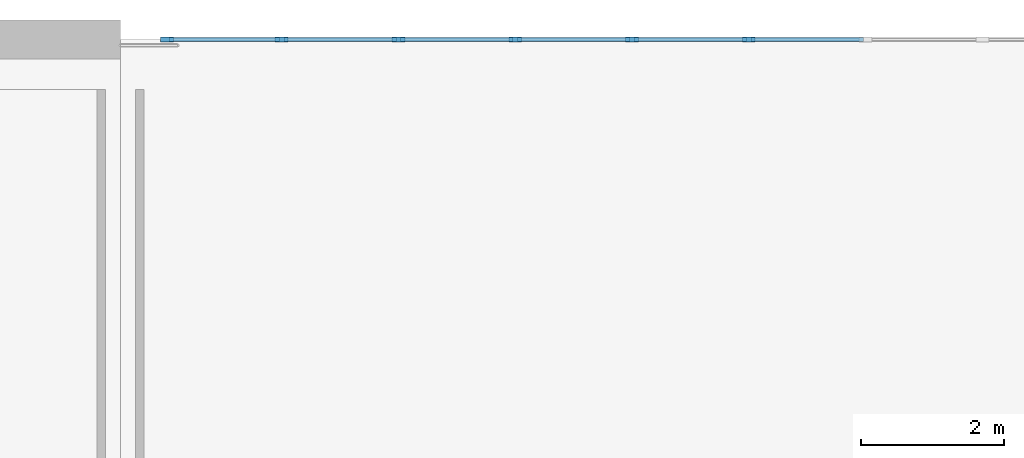
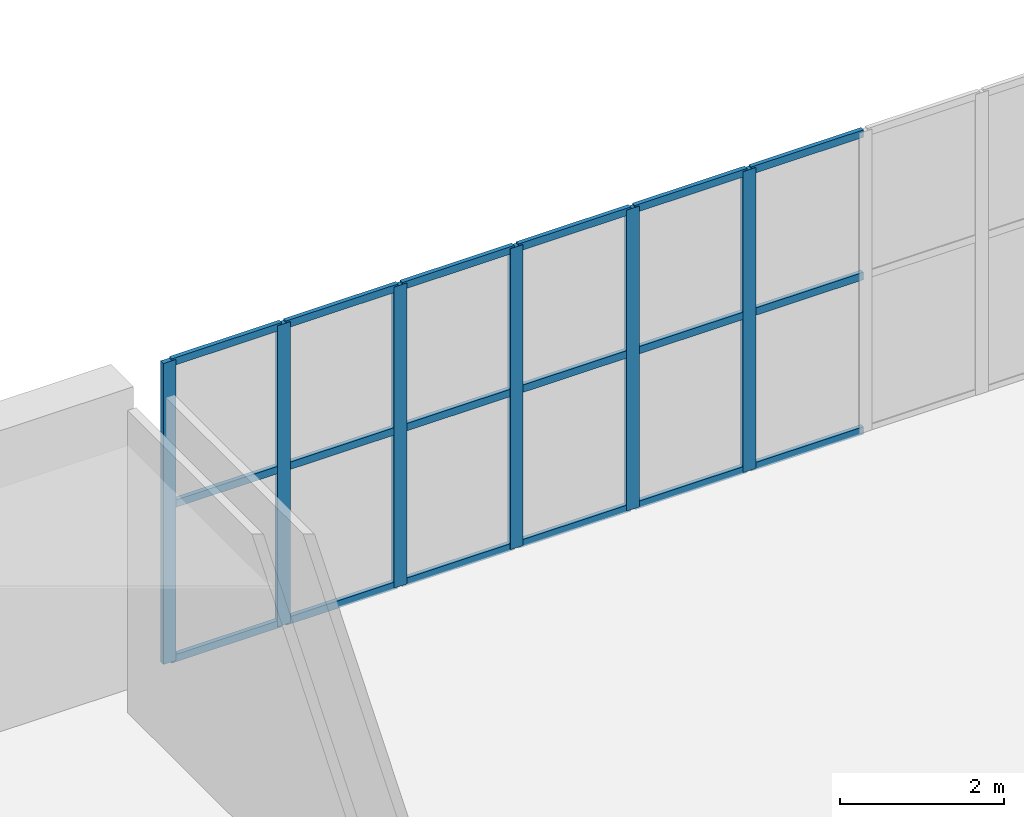
# One storey, part 52 of 129: 24 members, 1 element without a shape of its own.
"""IFC4 building model written with IfcOpenShell, lengths in metres."""

from ifc_helpers import new_model, si_unit, direction, frame, origin, origin_2d, place, context, subcontext, project, spatial, rectangle, extrude, material, material_profile, profile_set, type_object, element, aggregate, save


model = new_model("IFC4")

# Units and contexts
model_context = context("Model", 3, precision=1e-05, world=origin(), true_north=direction((0.0, 1.0)))
body_context = subcontext(model_context, "Body", "Model", "MODEL_VIEW")
ifc_project = project(units=[si_unit("LENGTHUNIT", "METRE"), si_unit("AREAUNIT", "SQUARE_METRE"), si_unit("VOLUMEUNIT", "CUBIC_METRE"), si_unit("PLANEANGLEUNIT", "RADIAN"), si_unit("MASSUNIT", "GRAM", prefix="KILO")], contexts=[model_context])

# Site, building, storey
site_placement = place(None, origin())
site = spatial("IfcSite", under=ifc_project, at=site_placement, CompositionType="ELEMENT")
building_placement = place(site_placement, origin())
building = spatial("IfcBuilding", under=site, at=building_placement, Name="Koshinbarg Plaza Stadium", CompositionType="ELEMENT")
storey_placement = place(building_placement, frame((0.0, 0.0, 5.39990234375)))
storey = spatial("IfcBuildingStorey", under=building, at=storey_placement, Name="L01", CompositionType="ELEMENT", Elevation=5.39990234375)

# Curtain wall, members
ifc_material_1 = material(Name="Thermally broken anodised aluminium and low-E double glazing", Category="aluminium")
curtain_wall_type = type_object("IfcCurtainWallType", Name="CW-SYS-15", PredefinedType="NOTDEFINED", material=ifc_material_1)
curtain_wall_placement = place(storey_placement, origin())
curtain_wall = element("IfcCurtainWall", 1, at=curtain_wall_placement, inside=storey, type_object=curtain_wall_type, Name="L01 unitised curtain wall CW-L01-014", PredefinedType="NOTDEFINED")
ifc_material_2 = material(Name="Anodised aluminium mullion", Category="aluminium")
ifc_material_profile_1 = material_profile(ifc_material_2, rectangle(XDim=0.070068359375, YDim=0.179931640625, at=origin_2d()), Name="ALU 70x180")
ifc_profile_set_1 = profile_set([ifc_material_profile_1], Name="Anodised aluminium mullion")
member_type_1 = type_object("IfcMemberType", Name="CW-MUL-03", PredefinedType="MULLION", material=ifc_profile_set_1)
member_1_placement = place(storey_placement, frame((122.64990234375, 152.0, 0.0), z_axis=(0.0, 0.0, 1.0), x_axis=(0.0, 1.0, 0.0)))
member_1 = element("IfcMember", 2, at=member_1_placement, type_object=member_type_1, Name="CW15 mullion 1", PredefinedType="MULLION", context=body_context, shape_type="SweptSolid", body=[
    extrude(rectangle(XDim=0.070068359375, YDim=0.179931640625, at=origin_2d()), origin(), (0.0, 0.0, 1.0), 4.47998046875),
])
member_2_placement = place(storey_placement, frame((124.258056640625, 152.0, 0.0), z_axis=(0.0, 0.0, 1.0), x_axis=(0.0, 1.0, 0.0)))
member_2 = element("IfcMember", 3, at=member_2_placement, type_object=member_type_1, Name="CW15 mullion 2", PredefinedType="MULLION", context=body_context, shape_type="SweptSolid", body=[
    extrude(rectangle(XDim=0.070068359375, YDim=0.179931640625, at=origin_2d()), origin(), (0.0, 0.0, 1.0), 4.47998046875),
])
member_3_placement = place(storey_placement, frame((125.89599609375, 152.0, 0.0), z_axis=(0.0, 0.0, 1.0), x_axis=(0.0, 1.0, 0.0)))
member_3 = element("IfcMember", 4, at=member_3_placement, type_object=member_type_1, Name="CW15 mullion 3", PredefinedType="MULLION", context=body_context, shape_type="SweptSolid", body=[
    extrude(rectangle(XDim=0.070068359375, YDim=0.179931640625, at=origin_2d()), origin(), (0.0, 0.0, 1.0), 4.47998046875),
])
member_4_placement = place(storey_placement, frame((127.533935546875, 152.0, 0.0), z_axis=(0.0, 0.0, 1.0), x_axis=(0.0, 1.0, 0.0)))
member_4 = element("IfcMember", 5, at=member_4_placement, type_object=member_type_1, Name="CW15 mullion 4", PredefinedType="MULLION", context=body_context, shape_type="SweptSolid", body=[
    extrude(rectangle(XDim=0.070068359375, YDim=0.179931640625, at=origin_2d()), origin(), (0.0, 0.0, 1.0), 4.47998046875),
])
member_5_placement = place(storey_placement, frame((129.172119140625, 152.0, 0.0), z_axis=(0.0, 0.0, 1.0), x_axis=(0.0, 1.0, 0.0)))
member_5 = element("IfcMember", 6, at=member_5_placement, type_object=member_type_1, Name="CW15 mullion 5", PredefinedType="MULLION", context=body_context, shape_type="SweptSolid", body=[
    extrude(rectangle(XDim=0.070068359375, YDim=0.179931640625, at=origin_2d()), origin(), (0.0, 0.0, 1.0), 4.47998046875),
])
member_6_placement = place(storey_placement, frame((130.81005859375, 152.0, 0.0), z_axis=(0.0, 0.0, 1.0), x_axis=(0.0, 1.0, 0.0)))
member_6 = element("IfcMember", 7, at=member_6_placement, type_object=member_type_1, Name="CW15 mullion 6", PredefinedType="MULLION", context=body_context, shape_type="SweptSolid", body=[
    extrude(rectangle(XDim=0.070068359375, YDim=0.179931640625, at=origin_2d()), origin(), (0.0, 0.0, 1.0), 4.47998046875),
])
ifc_material_3 = material(Name="Anodised aluminium transom", Category="aluminium")
ifc_material_profile_2 = material_profile(ifc_material_3, rectangle(XDim=0.06005859375, YDim=0.110107421875, at=origin_2d()), Name="ALU 60x110")
ifc_profile_set_2 = profile_set([ifc_material_profile_2], Name="Anodised aluminium transom")
member_type_2 = type_object("IfcMemberType", Name="CW-TRN-01", PredefinedType="USERDEFINED", material=ifc_profile_set_2)
member_7_placement = place(storey_placement, frame((122.679931640625, 152.0, 0.030029296875), z_axis=(1.0, 0.0, 0.0), x_axis=(0.0, 1.0, 0.0)))
member_7 = element("IfcMember", 8, at=member_7_placement, type_object=member_type_2, Name="CW15 transom 1.1", ObjectType="TRANSOM", PredefinedType="USERDEFINED", context=body_context, shape_type="SweptSolid", body=[
    extrude(rectangle(XDim=0.06005859375, YDim=0.110107421875, at=origin_2d()), origin(), (0.0, 0.0, 1.0), 1.548095703125),
])
member_8_placement = place(storey_placement, frame((122.679931640625, 152.0, 2.32958984375), z_axis=(1.0, 0.0, 0.0), x_axis=(0.0, 1.0, 0.0)))
member_8 = element("IfcMember", 9, at=member_8_placement, type_object=member_type_2, Name="CW15 transom 1.2", ObjectType="TRANSOM", PredefinedType="USERDEFINED", context=body_context, shape_type="SweptSolid", body=[
    extrude(rectangle(XDim=0.06005859375, YDim=0.110107421875, at=origin_2d()), origin(), (0.0, 0.0, 1.0), 1.548095703125),
])
member_9_placement = place(storey_placement, frame((122.679931640625, 152.0, 4.4501953125), z_axis=(1.0, 0.0, 0.0), x_axis=(0.0, 1.0, 0.0)))
member_9 = element("IfcMember", 10, at=member_9_placement, type_object=member_type_2, Name="CW15 transom 1.3", ObjectType="TRANSOM", PredefinedType="USERDEFINED", context=body_context, shape_type="SweptSolid", body=[
    extrude(rectangle(XDim=0.06005859375, YDim=0.110107421875, at=origin_2d()), origin(), (0.0, 0.0, 1.0), 1.548095703125),
])
member_10_placement = place(storey_placement, frame((124.2880859375, 152.0, 0.030029296875), z_axis=(1.0, 0.0, 0.0), x_axis=(0.0, 1.0, 0.0)))
member_10 = element("IfcMember", 11, at=member_10_placement, type_object=member_type_2, Name="CW15 transom 2.1", ObjectType="TRANSOM", PredefinedType="USERDEFINED", context=body_context, shape_type="SweptSolid", body=[
    extrude(rectangle(XDim=0.06005859375, YDim=0.110107421875, at=origin_2d()), origin(), (0.0, 0.0, 1.0), 1.577880859375),
])
member_11_placement = place(storey_placement, frame((124.2880859375, 152.0, 2.32958984375), z_axis=(1.0, 0.0, 0.0), x_axis=(0.0, 1.0, 0.0)))
member_11 = element("IfcMember", 12, at=member_11_placement, type_object=member_type_2, Name="CW15 transom 2.2", ObjectType="TRANSOM", PredefinedType="USERDEFINED", context=body_context, shape_type="SweptSolid", body=[
    extrude(rectangle(XDim=0.06005859375, YDim=0.110107421875, at=origin_2d()), origin(), (0.0, 0.0, 1.0), 1.577880859375),
])
member_12_placement = place(storey_placement, frame((124.2880859375, 152.0, 4.4501953125), z_axis=(1.0, 0.0, 0.0), x_axis=(0.0, 1.0, 0.0)))
member_12 = element("IfcMember", 13, at=member_12_placement, type_object=member_type_2, Name="CW15 transom 2.3", ObjectType="TRANSOM", PredefinedType="USERDEFINED", context=body_context, shape_type="SweptSolid", body=[
    extrude(rectangle(XDim=0.06005859375, YDim=0.110107421875, at=origin_2d()), origin(), (0.0, 0.0, 1.0), 1.577880859375),
])
member_13_placement = place(storey_placement, frame((125.926025390625, 152.0, 0.030029296875), z_axis=(1.0, 0.0, 0.0), x_axis=(0.0, 1.0, 0.0)))
member_13 = element("IfcMember", 14, at=member_13_placement, type_object=member_type_2, Name="CW15 transom 3.1", ObjectType="TRANSOM", PredefinedType="USERDEFINED", context=body_context, shape_type="SweptSolid", body=[
    extrude(rectangle(XDim=0.06005859375, YDim=0.110107421875, at=origin_2d()), origin(), (0.0, 0.0, 1.0), 1.577880859375),
])
member_14_placement = place(storey_placement, frame((125.926025390625, 152.0, 2.32958984375), z_axis=(1.0, 0.0, 0.0), x_axis=(0.0, 1.0, 0.0)))
member_14 = element("IfcMember", 15, at=member_14_placement, type_object=member_type_2, Name="CW15 transom 3.2", ObjectType="TRANSOM", PredefinedType="USERDEFINED", context=body_context, shape_type="SweptSolid", body=[
    extrude(rectangle(XDim=0.06005859375, YDim=0.110107421875, at=origin_2d()), origin(), (0.0, 0.0, 1.0), 1.577880859375),
])
member_15_placement = place(storey_placement, frame((125.926025390625, 152.0, 4.4501953125), z_axis=(1.0, 0.0, 0.0), x_axis=(0.0, 1.0, 0.0)))
member_15 = element("IfcMember", 16, at=member_15_placement, type_object=member_type_2, Name="CW15 transom 3.3", ObjectType="TRANSOM", PredefinedType="USERDEFINED", context=body_context, shape_type="SweptSolid", body=[
    extrude(rectangle(XDim=0.06005859375, YDim=0.110107421875, at=origin_2d()), origin(), (0.0, 0.0, 1.0), 1.577880859375),
])
member_16_placement = place(storey_placement, frame((127.56396484375, 152.0, 0.030029296875), z_axis=(1.0, 0.0, 0.0), x_axis=(0.0, 1.0, 0.0)))
member_16 = element("IfcMember", 17, at=member_16_placement, type_object=member_type_2, Name="CW15 transom 4.1", ObjectType="TRANSOM", PredefinedType="USERDEFINED", context=body_context, shape_type="SweptSolid", body=[
    extrude(rectangle(XDim=0.06005859375, YDim=0.110107421875, at=origin_2d()), origin(), (0.0, 0.0, 1.0), 1.578125),
])
member_17_placement = place(storey_placement, frame((127.56396484375, 152.0, 2.32958984375), z_axis=(1.0, 0.0, 0.0), x_axis=(0.0, 1.0, 0.0)))
member_17 = element("IfcMember", 18, at=member_17_placement, type_object=member_type_2, Name="CW15 transom 4.2", ObjectType="TRANSOM", PredefinedType="USERDEFINED", context=body_context, shape_type="SweptSolid", body=[
    extrude(rectangle(XDim=0.06005859375, YDim=0.110107421875, at=origin_2d()), origin(), (0.0, 0.0, 1.0), 1.578125),
])
member_18_placement = place(storey_placement, frame((127.56396484375, 152.0, 4.4501953125), z_axis=(1.0, 0.0, 0.0), x_axis=(0.0, 1.0, 0.0)))
member_18 = element("IfcMember", 19, at=member_18_placement, type_object=member_type_2, Name="CW15 transom 4.3", ObjectType="TRANSOM", PredefinedType="USERDEFINED", context=body_context, shape_type="SweptSolid", body=[
    extrude(rectangle(XDim=0.06005859375, YDim=0.110107421875, at=origin_2d()), origin(), (0.0, 0.0, 1.0), 1.578125),
])
member_19_placement = place(storey_placement, frame((129.201904296875, 152.0, 0.030029296875), z_axis=(1.0, 0.0, 0.0), x_axis=(0.0, 1.0, 0.0)))
member_19 = element("IfcMember", 20, at=member_19_placement, type_object=member_type_2, Name="CW15 transom 5.1", ObjectType="TRANSOM", PredefinedType="USERDEFINED", context=body_context, shape_type="SweptSolid", body=[
    extrude(rectangle(XDim=0.06005859375, YDim=0.110107421875, at=origin_2d()), origin(), (0.0, 0.0, 1.0), 1.578125),
])
member_20_placement = place(storey_placement, frame((129.201904296875, 152.0, 2.32958984375), z_axis=(1.0, 0.0, 0.0), x_axis=(0.0, 1.0, 0.0)))
member_20 = element("IfcMember", 21, at=member_20_placement, type_object=member_type_2, Name="CW15 transom 5.2", ObjectType="TRANSOM", PredefinedType="USERDEFINED", context=body_context, shape_type="SweptSolid", body=[
    extrude(rectangle(XDim=0.06005859375, YDim=0.110107421875, at=origin_2d()), origin(), (0.0, 0.0, 1.0), 1.578125),
])
member_21_placement = place(storey_placement, frame((129.201904296875, 152.0, 4.4501953125), z_axis=(1.0, 0.0, 0.0), x_axis=(0.0, 1.0, 0.0)))
member_21 = element("IfcMember", 22, at=member_21_placement, type_object=member_type_2, Name="CW15 transom 5.3", ObjectType="TRANSOM", PredefinedType="USERDEFINED", context=body_context, shape_type="SweptSolid", body=[
    extrude(rectangle(XDim=0.06005859375, YDim=0.110107421875, at=origin_2d()), origin(), (0.0, 0.0, 1.0), 1.578125),
])
member_22_placement = place(storey_placement, frame((130.840087890625, 152.0, 0.030029296875), z_axis=(1.0, 0.0, 0.0), x_axis=(0.0, 1.0, 0.0)))
member_22 = element("IfcMember", 23, at=member_22_placement, type_object=member_type_2, Name="CW15 transom 6.1", ObjectType="TRANSOM", PredefinedType="USERDEFINED", context=body_context, shape_type="SweptSolid", body=[
    extrude(rectangle(XDim=0.06005859375, YDim=0.110107421875, at=origin_2d()), origin(), (0.0, 0.0, 1.0), 1.577880859375),
])
member_23_placement = place(storey_placement, frame((130.840087890625, 152.0, 2.32958984375), z_axis=(1.0, 0.0, 0.0), x_axis=(0.0, 1.0, 0.0)))
member_23 = element("IfcMember", 24, at=member_23_placement, type_object=member_type_2, Name="CW15 transom 6.2", ObjectType="TRANSOM", PredefinedType="USERDEFINED", context=body_context, shape_type="SweptSolid", body=[
    extrude(rectangle(XDim=0.06005859375, YDim=0.110107421875, at=origin_2d()), origin(), (0.0, 0.0, 1.0), 1.577880859375),
])
member_24_placement = place(storey_placement, frame((130.840087890625, 152.0, 4.4501953125), z_axis=(1.0, 0.0, 0.0), x_axis=(0.0, 1.0, 0.0)))
member_24 = element("IfcMember", 25, at=member_24_placement, type_object=member_type_2, Name="CW15 transom 6.3", ObjectType="TRANSOM", PredefinedType="USERDEFINED", context=body_context, shape_type="SweptSolid", body=[
    extrude(rectangle(XDim=0.06005859375, YDim=0.110107421875, at=origin_2d()), origin(), (0.0, 0.0, 1.0), 1.577880859375),
])
aggregate(curtain_wall, [member_1, member_2, member_3, member_4, member_5, member_6, member_7, member_8, member_9, member_10, member_11, member_12, member_13, member_14, member_15, member_16, member_17, member_18, member_19, member_20, member_21, member_22, member_23, member_24])

save(model, "model.ifc")
